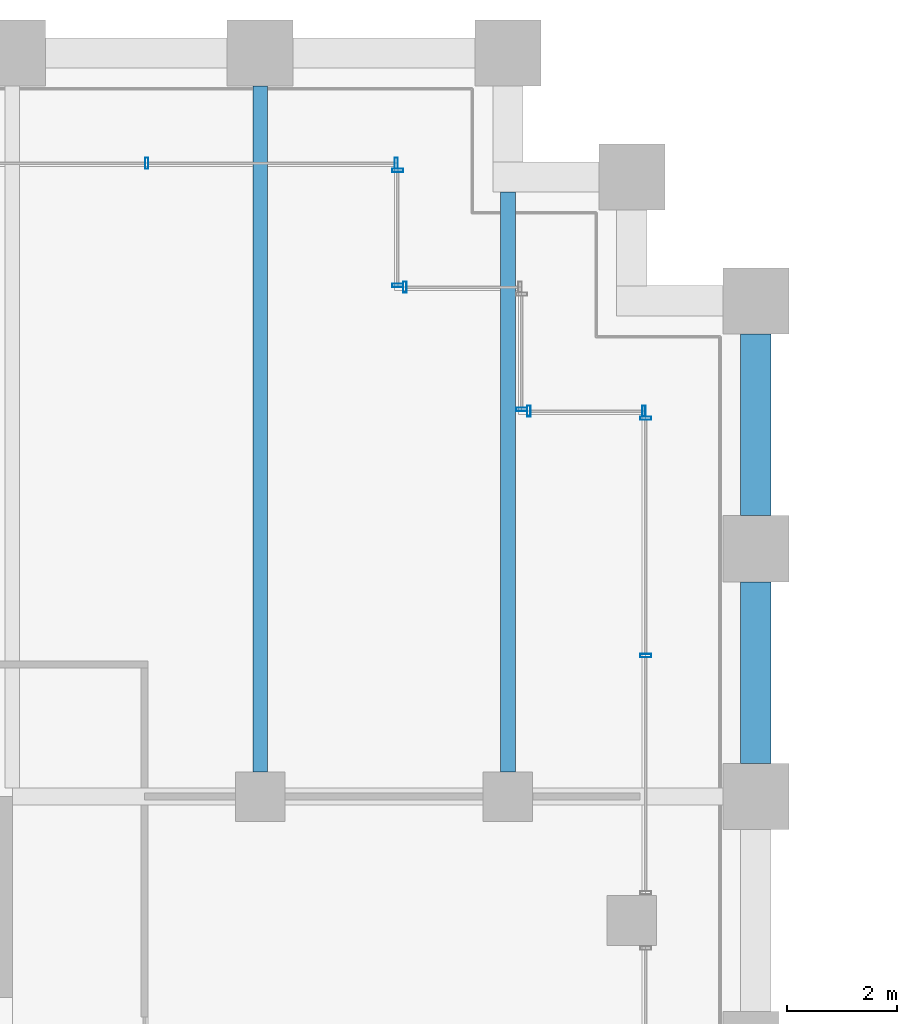
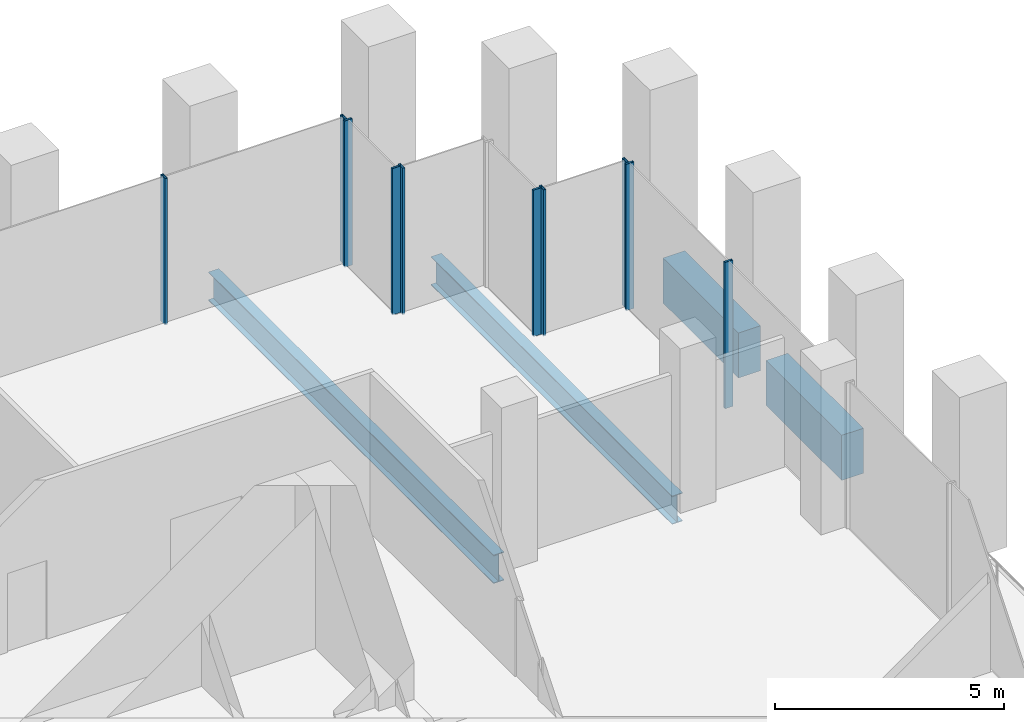
# One storey, part 17 of 36: 10 members, 4 beams, 6 elements without a shape of their own.
"""IFC4 building model written with IfcOpenShell, lengths in metres."""

from ifc_helpers import new_model, si_unit, direction, frame, origin, origin_2d, place, context, subcontext, project, spatial, rectangle, hollow_rectangle, i_section, extrude, material, material_profile, profile_set, type_object, element, aggregate, save


model = new_model("IFC4")

# Units and contexts
model_context = context("Model", 3, precision=1e-05, world=origin(), true_north=direction((0.0, 1.0)))
body_context = subcontext(model_context, "Body", "Model", "MODEL_VIEW")
ifc_project = project(units=[si_unit("LENGTHUNIT", "METRE"), si_unit("AREAUNIT", "SQUARE_METRE"), si_unit("VOLUMEUNIT", "CUBIC_METRE"), si_unit("PLANEANGLEUNIT", "RADIAN"), si_unit("MASSUNIT", "GRAM", prefix="KILO")], contexts=[model_context])

# Site, building, storey
site_placement = place(None, origin())
site = spatial("IfcSite", under=ifc_project, at=site_placement, CompositionType="ELEMENT")
building_placement = place(site_placement, origin())
building = spatial("IfcBuilding", under=site, at=building_placement, Name="Altepetl Exchange Towers", CompositionType="ELEMENT")
storey_placement = place(building_placement, frame((0.0, 0.0, 43.0)))
storey = spatial("IfcBuildingStorey", under=building, at=storey_placement, Name="L09", CompositionType="ELEMENT", Elevation=43.0)

# Beams
ifc_material_1 = material(Name="Steel S355", Category="steel")
ifc_material_profile_1 = material_profile(ifc_material_1, i_section(OverallWidth=0.26611328125, OverallDepth=0.758056640625, WebThickness=0.013916015625, FlangeThickness=0.019287109375, at=origin_2d()), Name="W30X108")
ifc_profile_set_1 = profile_set([ifc_material_profile_1], Name="Steel S355")
beam_type_1 = type_object("IfcBeamType", Name="Floor beam W30X108", PredefinedType="BEAM", material=ifc_profile_set_1)
beam_1_placement = place(storey_placement, frame((63.0, 58.949951171875, -0.553955078125), z_axis=(0.0, 1.0, 0.0), x_axis=(-1.0, 0.0, 0.0)))
element("IfcBeam", 1, at=beam_1_placement, inside=storey, type_object=beam_type_1, Name="bm:A:L09:004", PredefinedType="BEAM", context=body_context, shape_type="SweptSolid", body=[
    extrude(i_section(OverallWidth=0.26611328125, OverallDepth=0.758056640625, WebThickness=0.013916015625, FlangeThickness=0.019287109375, at=origin_2d()), origin(), (0.0, 0.0, 1.0), 12.449951171875),
])
beam_2_placement = place(storey_placement, frame((67.5, 58.949951171875, -0.553955078125), z_axis=(0.0, 1.0, 0.0), x_axis=(-1.0, 0.0, 0.0)))
element("IfcBeam", 2, at=beam_2_placement, inside=storey, type_object=beam_type_1, Name="bm:A:L09:005", PredefinedType="BEAM", context=body_context, shape_type="SweptSolid", body=[
    extrude(i_section(OverallWidth=0.26611328125, OverallDepth=0.758056640625, WebThickness=0.013916015625, FlangeThickness=0.019287109375, at=origin_2d()), origin(), (0.0, 0.0, 1.0), 10.525146484375),
])

# Curtain wall, members
ifc_material_2 = material(Name="Aluminium 6063-T6 glazing", Category="aluminium")
curtain_wall_type = type_object("IfcCurtainWallType", Name="Trading floor glazing system", PredefinedType="NOTDEFINED", material=ifc_material_2)
curtain_wall_1_placement = place(storey_placement, origin())
curtain_wall_1 = element("IfcCurtainWall", 3, at=curtain_wall_1_placement, inside=storey, type_object=curtain_wall_type, Name="CW2 run", PredefinedType="NOTDEFINED")
ifc_material_3 = material(Name="Aluminium 6063-T6", Category="aluminium")
ifc_material_profile_2 = material_profile(ifc_material_3, hollow_rectangle(XDim=0.06005859375, YDim=0.199951171875, WallThickness=0.0029296875, at=origin_2d()), Name="Mullion 60x200 aluminium")
ifc_profile_set_2 = profile_set([ifc_material_profile_2], Name="Aluminium 6063-T6")
member_type = type_object("IfcMemberType", Name="Mullion 60x200 aluminium", PredefinedType="MULLION", material=ifc_profile_set_2)
member_1_placement = place(storey_placement, frame((70.0, 61.06005859375, 0.0), z_axis=(0.0, 0.0, 1.0), x_axis=(0.0, 1.0, 0.0)))
member_1 = element("IfcMember", 4, at=member_1_placement, type_object=member_type, Name="MU2 mullion", PredefinedType="MULLION", context=body_context, shape_type="SweptSolid", body=[
    extrude(hollow_rectangle(XDim=0.06005859375, YDim=0.199951171875, WallThickness=0.0029296875, at=origin_2d()), origin(), (0.0, 0.0, 1.0), 3.89990234375),
])
member_2_placement = place(storey_placement, frame((70.0, 65.3701171875, 0.0), z_axis=(0.0, 0.0, 1.0), x_axis=(0.0, 1.0, 0.0)))
member_2 = element("IfcMember", 5, at=member_2_placement, type_object=member_type, Name="MU2 mullion", PredefinedType="MULLION", context=body_context, shape_type="SweptSolid", body=[
    extrude(hollow_rectangle(XDim=0.06005859375, YDim=0.199951171875, WallThickness=0.0029296875, at=origin_2d()), origin(), (0.0, 0.0, 1.0), 3.89990234375),
])
aggregate(curtain_wall_1, [member_1, member_2])

curtain_wall_2_placement = place(storey_placement, origin())
curtain_wall_2 = element("IfcCurtainWall", 6, at=curtain_wall_2_placement, inside=storey, type_object=curtain_wall_type, Name="CW2 run", PredefinedType="NOTDEFINED")
member_3_placement = place(storey_placement, frame((69.969970703125, 65.5, 0.0), z_axis=(0.0, 0.0, 1.0), x_axis=(-1.0, 0.0, 0.0)))
member_3 = element("IfcMember", 7, at=member_3_placement, type_object=member_type, Name="MU2 mullion", PredefinedType="MULLION", context=body_context, shape_type="SweptSolid", body=[
    extrude(hollow_rectangle(XDim=0.06005859375, YDim=0.199951171875, WallThickness=0.0029296875, at=origin_2d()), origin(), (0.0, 0.0, 1.0), 3.89990234375),
])
member_4_placement = place(storey_placement, frame((67.8798828125, 65.5, 0.0), z_axis=(0.0, 0.0, 1.0), x_axis=(-1.0, 0.0, 0.0)))
member_4 = element("IfcMember", 8, at=member_4_placement, type_object=member_type, Name="MU2 mullion", PredefinedType="MULLION", context=body_context, shape_type="SweptSolid", body=[
    extrude(hollow_rectangle(XDim=0.06005859375, YDim=0.199951171875, WallThickness=0.0029296875, at=origin_2d()), origin(), (0.0, 0.0, 1.0), 3.89990234375),
])
aggregate(curtain_wall_2, [member_3, member_4])

# Curtain wall, member
curtain_wall_3_placement = place(storey_placement, origin())
curtain_wall_3 = element("IfcCurtainWall", 9, at=curtain_wall_3_placement, inside=storey, type_object=curtain_wall_type, Name="CW2 run", PredefinedType="NOTDEFINED")
member_5_placement = place(storey_placement, frame((67.75, 65.530029296875, 0.0), z_axis=(0.0, 0.0, 1.0), x_axis=(0.0, 1.0, 0.0)))
member_5 = element("IfcMember", 10, at=member_5_placement, type_object=member_type, Name="MU2 mullion", PredefinedType="MULLION", context=body_context, shape_type="SweptSolid", body=[
    extrude(hollow_rectangle(XDim=0.06005859375, YDim=0.199951171875, WallThickness=0.0029296875, at=origin_2d()), origin(), (0.0, 0.0, 1.0), 3.89990234375),
])
aggregate(curtain_wall_3, [member_5])

curtain_wall_4_placement = place(storey_placement, origin())
curtain_wall_4 = element("IfcCurtainWall", 11, at=curtain_wall_4_placement, inside=storey, type_object=curtain_wall_type, Name="CW2 run", PredefinedType="NOTDEFINED")
member_6_placement = place(storey_placement, frame((65.6298828125, 67.75, 0.0), z_axis=(0.0, 0.0, 1.0), x_axis=(-1.0, 0.0, 0.0)))
member_6 = element("IfcMember", 12, at=member_6_placement, type_object=member_type, Name="MU2 mullion", PredefinedType="MULLION", context=body_context, shape_type="SweptSolid", body=[
    extrude(hollow_rectangle(XDim=0.06005859375, YDim=0.199951171875, WallThickness=0.0029296875, at=origin_2d()), origin(), (0.0, 0.0, 1.0), 3.89990234375),
])
aggregate(curtain_wall_4, [member_6])

# Curtain wall, members
curtain_wall_5_placement = place(storey_placement, origin())
curtain_wall_5 = element("IfcCurtainWall", 13, at=curtain_wall_5_placement, inside=storey, type_object=curtain_wall_type, Name="CW2 run", PredefinedType="NOTDEFINED")
member_7_placement = place(storey_placement, frame((65.5, 67.780029296875, 0.0), z_axis=(0.0, 0.0, 1.0), x_axis=(0.0, 1.0, 0.0)))
member_7 = element("IfcMember", 14, at=member_7_placement, type_object=member_type, Name="MU2 mullion", PredefinedType="MULLION", context=body_context, shape_type="SweptSolid", body=[
    extrude(hollow_rectangle(XDim=0.06005859375, YDim=0.199951171875, WallThickness=0.0029296875, at=origin_2d()), origin(), (0.0, 0.0, 1.0), 3.89990234375),
])
member_8_placement = place(storey_placement, frame((65.5, 69.8701171875, 0.0), z_axis=(0.0, 0.0, 1.0), x_axis=(0.0, 1.0, 0.0)))
member_8 = element("IfcMember", 15, at=member_8_placement, type_object=member_type, Name="MU2 mullion", PredefinedType="MULLION", context=body_context, shape_type="SweptSolid", body=[
    extrude(hollow_rectangle(XDim=0.06005859375, YDim=0.199951171875, WallThickness=0.0029296875, at=origin_2d()), origin(), (0.0, 0.0, 1.0), 3.89990234375),
])
aggregate(curtain_wall_5, [member_7, member_8])

curtain_wall_6_placement = place(storey_placement, origin())
curtain_wall_6 = element("IfcCurtainWall", 16, at=curtain_wall_6_placement, inside=storey, type_object=curtain_wall_type, Name="CW2 run", PredefinedType="NOTDEFINED")
member_9_placement = place(storey_placement, frame((65.469970703125, 70.0, 0.0), z_axis=(0.0, 0.0, 1.0), x_axis=(-1.0, 0.0, 0.0)))
member_9 = element("IfcMember", 17, at=member_9_placement, type_object=member_type, Name="MU2 mullion", PredefinedType="MULLION", context=body_context, shape_type="SweptSolid", body=[
    extrude(hollow_rectangle(XDim=0.06005859375, YDim=0.199951171875, WallThickness=0.0029296875, at=origin_2d()), origin(), (0.0, 0.0, 1.0), 3.89990234375),
])
member_10_placement = place(storey_placement, frame((60.94287109375, 70.0, 0.0), z_axis=(0.0, 0.0, 1.0), x_axis=(-1.0, 0.0, 0.0)))
member_10 = element("IfcMember", 18, at=member_10_placement, type_object=member_type, Name="MU2 mullion", PredefinedType="MULLION", context=body_context, shape_type="SweptSolid", body=[
    extrude(hollow_rectangle(XDim=0.06005859375, YDim=0.199951171875, WallThickness=0.0029296875, at=origin_2d()), origin(), (0.0, 0.0, 1.0), 3.89990234375),
])
aggregate(curtain_wall_6, [member_9, member_10])

# Beams
ifc_material_4 = material(Name="Concrete C50/60 precast with cantera rosa facing", Category="concrete")
ifc_material_profile_3 = material_profile(ifc_material_4, rectangle(XDim=0.550048828125, YDim=1.199951171875, at=origin_2d()), Name="550 x 1200")
ifc_profile_set_3 = profile_set([ifc_material_profile_3], Name="Concrete C50/60 precast with cantera rosa facing")
beam_type_2 = type_object("IfcBeamType", Name="Spandrel beam 550x1200 cantera rosa", PredefinedType="SPANDREL", material=ifc_profile_set_3)
for number, where, z_axis, x_axis, name in (
    (19, (72.0, 59.10009765625, -0.77490234375), (0.0, 1.0, 0.0), (-1.0, 0.0, 0.0), "sp:A:L09:018"),
    (20, (72.0, 63.60009765625, -0.77490234375), (0.0, 1.0, 0.0), (-1.0, 0.0, 0.0), "sp:A:L09:019"),
):
    element("IfcBeam", number, at=place(storey_placement, frame(where, z_axis=z_axis, x_axis=x_axis)), inside=storey, type_object=beam_type_2, Name=name, PredefinedType="SPANDREL", context=body_context, shape_type="SweptSolid", body=[
        extrude(rectangle(XDim=0.550048828125, YDim=1.199951171875, at=origin_2d()), origin(), (0.0, 0.0, 1.0), 3.2998046875),
    ])

save(model, "model.ifc")
